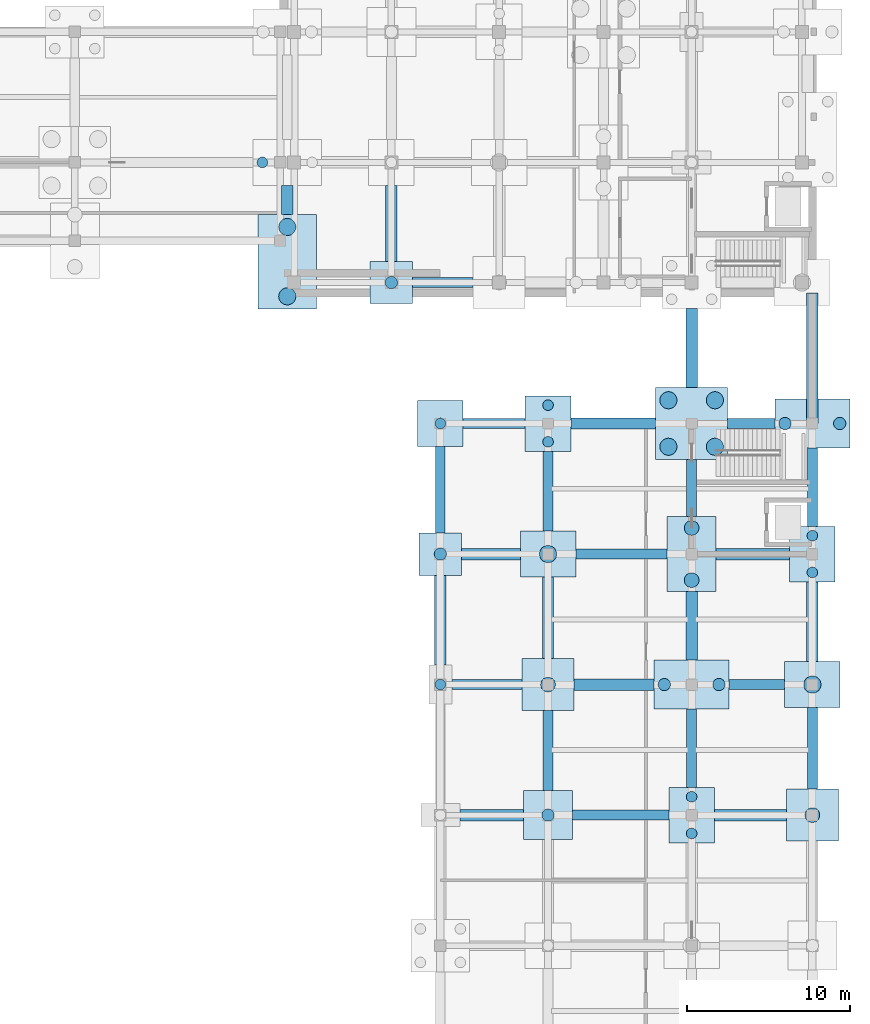
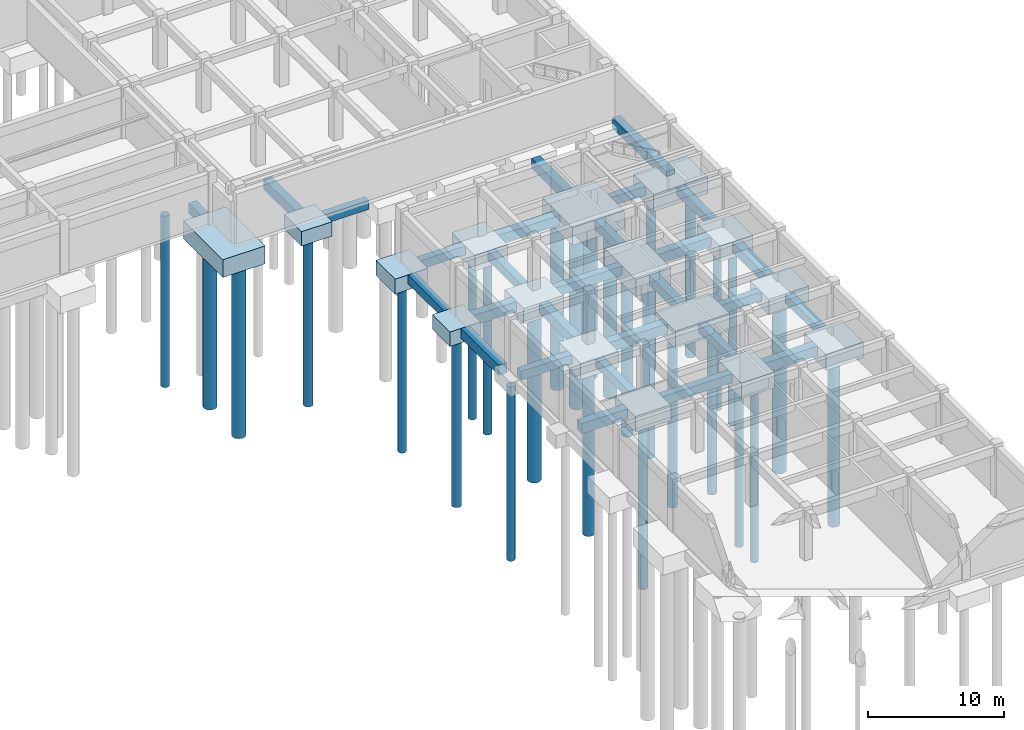
# One storey, part 9 of 35: 44 footings, 28 piles.
"""IFC4 building model written with IfcOpenShell, lengths in metres."""

import ifcopenshell
import ifcopenshell.guid

model = None  # the IFC model being written
_history = None  # IfcOwnerHistory: only IFC2X3 demands one
_inside = {}  # id of a spatial element -> (the spatial element, [elements in it])
_under = {}  # id of a project, library or spatial element -> (it, [spatial elements below it])
_declared = {}  # id of a project -> (the project, [libraries it declares])
_typed = {}  # id of a type object -> (the type object, [elements of that type])
_made_of = {}  # id of a material, layer set ... -> (it, [elements and type objects made of it])


def new_model(schema):
    """Start an empty IFC model of exactly this schema.

    Asked for "IFC4X3", IfcOpenShell would pick the latest addendum, in which some entities
    have other attributes; the version numbers below select the first issue.
    IFC2X3 requires an IfcOwnerHistory on every rooted entity: one is made here for all.
    """
    global model, _history
    if schema == "IFC4X3":
        model = ifcopenshell.file(schema_version=(4, 3, 0, 0))
    else:
        model = ifcopenshell.file(schema=schema)
    _inside.clear()
    _under.clear()
    _declared.clear()
    _typed.clear()
    _made_of.clear()
    _history = None
    if model.schema == "IFC2X3":
        org = make("IfcOrganization", Name="unknown")
        user = make(
            "IfcPersonAndOrganization",
            ThePerson=make("IfcPerson", FamilyName="unknown"),
            TheOrganization=org,
        )
        app = make(
            "IfcApplication",
            ApplicationDeveloper=org,
            Version="unknown",
            ApplicationFullName="unknown",
            ApplicationIdentifier="unknown",
        )
        _history = make(
            "IfcOwnerHistory",
            OwningUser=user,
            OwningApplication=app,
            ChangeAction="ADDED",
            CreationDate=0,
        )
    return model


def make(cls, **values):
    """One entity of the class cls with the attributes given. An attribute that is None is left unset."""
    return model.create_entity(
        cls, **{name: value for name, value in values.items() if value is not None}
    )


def rooted(cls, **values):
    """An entity with a GlobalId (a new one), such as an element, a storey or a relation."""
    return make(cls, GlobalId=ifcopenshell.guid.new(), OwnerHistory=_history, **values)


def si_unit(unit_type, name, prefix=None):
    """IfcSIUnit, for example si_unit("LENGTHUNIT", "METRE", prefix="MILLI")."""
    return make("IfcSIUnit", UnitType=unit_type, Prefix=prefix, Name=name)


def assignment(units):
    """IfcUnitAssignment: the units of a project."""
    return None if units is None else make("IfcUnitAssignment", Units=units)


def point(xyz):
    """IfcCartesianPoint."""
    return None if xyz is None else make("IfcCartesianPoint", Coordinates=xyz)


def direction(xyz):
    """IfcDirection."""
    return None if xyz is None else make("IfcDirection", DirectionRatios=xyz)


def frame(location, z_axis=None, x_axis=None):
    """IfcAxis2Placement3D, a coordinate frame: its origin and axes. An axis left out is left unset."""
    return make(
        "IfcAxis2Placement3D",
        Location=point(location),
        Axis=direction(z_axis),
        RefDirection=direction(x_axis),
    )


def frame_2d(location, x_axis=None):
    """IfcAxis2Placement2D, a coordinate frame in the plane: its origin and x axis."""
    return make(
        "IfcAxis2Placement2D", Location=point(location), RefDirection=direction(x_axis)
    )


def origin():
    """The frame at (0, 0, 0) with its axes left unset."""
    return frame((0.0, 0.0, 0.0))


def origin_2d():
    """The frame at (0, 0) in the plane with its x axis left unset."""
    return frame_2d((0.0, 0.0))


def place(relative_to, where):
    """IfcLocalPlacement: puts the frame where relative to a parent placement (None: the world)."""
    return make(
        "IfcLocalPlacement", PlacementRelTo=relative_to, RelativePlacement=where
    )


def context(
    kind, dimensions, precision=None, world=None, true_north=None, identifier=None
):
    """IfcGeometricRepresentationContext, for example the 3D "Model" context."""
    return make(
        "IfcGeometricRepresentationContext",
        ContextIdentifier=identifier,
        ContextType=kind,
        CoordinateSpaceDimension=dimensions,
        Precision=precision,
        WorldCoordinateSystem=world,
        TrueNorth=true_north,
    )


def subcontext(parent, identifier, kind, view, scale=None):
    """IfcGeometricRepresentationSubContext, for example "Body" below "Model"."""
    return make(
        "IfcGeometricRepresentationSubContext",
        ContextIdentifier=identifier,
        ContextType=kind,
        ParentContext=parent,
        TargetScale=scale,
        TargetView=view,
    )


def project(units=None, contexts=None):
    """IfcProject with its units and contexts."""
    return rooted(
        "IfcProject",
        Name="project",
        RepresentationContexts=contexts,
        UnitsInContext=assignment(units),
    )


def spatial(cls, under=None, at=None, **own):
    """A site, building, storey or space (cls), placed at a placement, below another one or the project."""
    s = rooted(cls, ObjectPlacement=at, **own)
    if under is not None:
        _under.setdefault(under.id(), (under, []))[1].append(s)
    return s


def polyline(points):
    """IfcPolyline through the points."""
    return make("IfcPolyline", Points=[point(p) for p in points])


def profile(cls, at=None, kind="AREA", **sizes):
    """A parametric profile (cls). Its sizes go by their IFC names, for example OverallWidth=200.0."""
    return make(cls, ProfileType=kind, Position=at, **sizes)


def rectangle(**sizes):
    """IfcRectangleProfileDef."""
    return profile("IfcRectangleProfileDef", **sizes)


def circle(**sizes):
    """IfcCircleProfileDef."""
    return profile("IfcCircleProfileDef", **sizes)


def outline(outer, holes=None, kind="AREA"):
    """IfcArbitraryClosedProfileDef: a profile drawn as a closed curve; with holes, ...WithVoids."""
    if holes is None:
        return make("IfcArbitraryClosedProfileDef", ProfileType=kind, OuterCurve=outer)
    return make(
        "IfcArbitraryProfileDefWithVoids",
        ProfileType=kind,
        OuterCurve=outer,
        InnerCurves=holes,
    )


def extrude(swept, where, along, depth):
    """IfcExtrudedAreaSolid: the profile swept, set in the frame where, extruded along a direction by depth."""
    return make(
        "IfcExtrudedAreaSolid",
        SweptArea=swept,
        Position=where,
        ExtrudedDirection=direction(along),
        Depth=depth,
    )


def shape(context_of_items, identifier, shape_type, items):
    """IfcShapeRepresentation: the items that make up one representation, for example the "Body"."""
    return make(
        "IfcShapeRepresentation",
        ContextOfItems=context_of_items,
        RepresentationIdentifier=identifier,
        RepresentationType=shape_type,
        Items=items,
    )


def material(Name=None, Category=None):
    """IfcMaterial."""
    return make("IfcMaterial", Name=Name, Category=Category)


def layer(
    of_material, thickness, ventilated=None, Name=None, Category=None, Priority=None
):
    """IfcMaterialLayer: one layer of a wall or slab, of a material (None: an air gap)."""
    return make(
        "IfcMaterialLayer",
        Material=of_material,
        LayerThickness=thickness,
        IsVentilated=ventilated,
        Name=Name,
        Category=Category,
        Priority=Priority,
    )


def layer_set(layers, Name=None):
    """IfcMaterialLayerSet."""
    return make("IfcMaterialLayerSet", MaterialLayers=layers, LayerSetName=Name)


def material_profile(
    of_material, cross_section, Name=None, Category=None, Priority=None
):
    """IfcMaterialProfile: a cross section and its material."""
    return make(
        "IfcMaterialProfile",
        Name=Name,
        Material=of_material,
        Profile=cross_section,
        Priority=Priority,
        Category=Category,
    )


def profile_set(profiles, Name=None, composite=None):
    """IfcMaterialProfileSet."""
    return make(
        "IfcMaterialProfileSet",
        Name=Name,
        MaterialProfiles=profiles,
        CompositeProfile=composite,
    )


def made_of(thing, what):
    """Note that an element or type object is made of a material, layer set ...; save() writes the relation."""
    if what is not None:
        _made_of.setdefault(what.id(), (what, []))[1].append(thing)
    return thing


def type_object(cls, material=None, **own):
    """A type object (cls), such as IfcWallType, which elements share."""
    return made_of(rooted(cls, **own), material)


def element(
    cls,
    number,
    at=None,
    inside=None,
    cuts=None,
    type_object=None,
    material=None,
    context=None,
    identifier="Body",
    shape_type=None,
    held_by="IfcProductDefinitionShape",
    body=None,
    shapes=None,
    **own,
):
    """One element of the class cls, such as IfcWall. Its Tag is "e" and its number.

    at: its placement. inside: the storey or other place that contains it. cuts: it is an
    opening in that element (IfcRelVoidsElement). A single representation is given by context,
    identifier, shape_type and body (its items); several are given by shapes. held_by: the class
    of the entity that holds the representations. save() writes the other relations.
    """
    e = rooted(cls, Tag="e%d" % number, ObjectPlacement=at, **own)
    if body is not None:
        shapes = [shape(context, identifier, shape_type, body)]
    if shapes is not None:
        e.Representation = make(held_by, Representations=shapes)
    if inside is not None:
        _inside.setdefault(inside.id(), (inside, []))[1].append(e)
    if cuts is not None:
        rooted(
            "IfcRelVoidsElement", RelatingBuildingElement=cuts, RelatedOpeningElement=e
        )
    if type_object is not None:
        _typed.setdefault(type_object.id(), (type_object, []))[1].append(e)
    return made_of(e, material)


def aggregate(whole, parts):
    """IfcRelAggregates: a whole, such as a stair, and the parts it consists of."""
    return rooted("IfcRelAggregates", RelatingObject=whole, RelatedObjects=parts)


def save(model, path):
    """Write the relations noted so far, then the file.

    IfcRelAggregates (storeys below a building ...), IfcRelContainedInSpatialStructure (elements
    in a storey), IfcRelDefinesByType, IfcRelAssociatesMaterial and IfcRelDeclares: one each for
    every whole, place, type object, material and project.
    """
    for whole, parts in _under.values():
        aggregate(whole, parts)
    for where, things in _inside.values():
        rooted(
            "IfcRelContainedInSpatialStructure",
            RelatedElements=things,
            RelatingStructure=where,
        )
    for kind, things in _typed.values():
        rooted("IfcRelDefinesByType", RelatedObjects=things, RelatingType=kind)
    for what, things in _made_of.values():
        rooted("IfcRelAssociatesMaterial", RelatedObjects=things, RelatingMaterial=what)
    for by, libraries in _declared.values():
        rooted("IfcRelDeclares", RelatingContext=by, RelatedDefinitions=libraries)
    model.write(path)


model = new_model("IFC4")

# Units and contexts
model_context = context("Model", 3, precision=1e-05, world=origin(), true_north=direction((0.0, 1.0)))
body_context = subcontext(model_context, "Body", "Model", "MODEL_VIEW")
ifc_project = project(units=[si_unit("LENGTHUNIT", "METRE"), si_unit("AREAUNIT", "SQUARE_METRE"), si_unit("VOLUMEUNIT", "CUBIC_METRE"), si_unit("PLANEANGLEUNIT", "RADIAN"), si_unit("MASSUNIT", "GRAM", prefix="KILO")], contexts=[model_context])

# Site, building, storey
site_placement = place(None, origin())
site = spatial("IfcSite", under=ifc_project, at=site_placement, CompositionType="ELEMENT")
building_placement = place(site_placement, origin())
building = spatial("IfcBuilding", under=site, at=building_placement, Name="Cinchona Park Media Centre", CompositionType="ELEMENT")
storey_placement = place(building_placement, frame((0.0, 0.0, -4.800048828125)))
storey = spatial("IfcBuildingStorey", under=building, at=storey_placement, Name="B1", CompositionType="ELEMENT", Elevation=-4.800048828125)

# Footings
ifc_material_1 = material(Name="Concrete C40/50", Category="concrete")
ifc_layer_1 = layer(ifc_material_1, 0.800048828125)
ifc_layer_set_1 = layer_set([ifc_layer_1], Name="Concrete C40/50")
footing_type_1 = type_object("IfcFootingType", Name="FTG-BEAM-FB01", PredefinedType="FOOTING_BEAM", material=ifc_layer_set_1)
footing_1_placement = place(storey_placement, frame((0.0, 0.0, -1.25)))
element("IfcFooting", 1, at=footing_1_placement, inside=storey, type_object=footing_type_1, Name="Ground Tie Beam FB01", PredefinedType="FOOTING_BEAM", context=body_context, shape_type="SweptSolid", body=[
    extrude(outline(polyline([(157.300048828125, 39.300048828125), (163.199951171875, 39.300048828125), (163.199951171875, 39.89990234375), (157.300048828125, 39.89990234375), (157.300048828125, 39.300048828125)])), origin(), (0.0, 0.0, 1.0), 0.800048828125),
])
footing_2_placement = place(storey_placement, frame((0.0, 0.0, -1.25)))
element("IfcFooting", 2, at=footing_2_placement, inside=storey, type_object=footing_type_1, Name="Ground Tie Beam FB01", PredefinedType="FOOTING_BEAM", context=body_context, shape_type="SweptSolid", body=[
    extrude(outline(polyline([(149.89990234375, 47.300048828125), (154.199951171875, 47.300048828125), (154.199951171875, 47.89990234375), (149.89990234375, 47.89990234375), (149.89990234375, 47.300048828125)])), origin(), (0.0, 0.0, 1.0), 0.800048828125),
])
footing_3_placement = place(storey_placement, frame((0.0, 0.0, -1.25)))
element("IfcFooting", 3, at=footing_3_placement, inside=storey, type_object=footing_type_1, Name="Ground Tie Beam FB01", PredefinedType="FOOTING_BEAM", context=body_context, shape_type="SweptSolid", body=[
    extrude(outline(polyline([(166.89990234375, 47.300048828125), (170.300048828125, 47.300048828125), (170.300048828125, 47.89990234375), (166.89990234375, 47.89990234375), (166.89990234375, 47.300048828125)])), origin(), (0.0, 0.0, 1.0), 0.800048828125),
])
footing_4_placement = place(storey_placement, frame((0.0, 0.0, -1.25)))
element("IfcFooting", 4, at=footing_4_placement, inside=storey, type_object=footing_type_1, Name="Ground Tie Beam FB01", PredefinedType="FOOTING_BEAM", context=body_context, shape_type="SweptSolid", body=[
    extrude(outline(polyline([(157.5, 55.300048828125), (163.10009765625, 55.300048828125), (163.10009765625, 55.89990234375), (157.5, 55.89990234375), (157.5, 55.300048828125)])), origin(), (0.0, 0.0, 1.0), 0.800048828125),
])
footing_5_placement = place(storey_placement, frame((0.0, 0.0, -1.25)))
element("IfcFooting", 5, at=footing_5_placement, inside=storey, type_object=footing_type_1, Name="Ground Tie Beam FB01", PredefinedType="FOOTING_BEAM", context=body_context, shape_type="SweptSolid", body=[
    extrude(outline(polyline([(150.60009765625, 63.300048828125), (154.39990234375, 63.300048828125), (154.39990234375, 63.89990234375), (150.60009765625, 63.89990234375), (150.60009765625, 63.300048828125)])), origin(), (0.0, 0.0, 1.0), 0.800048828125),
])
footing_6_placement = place(storey_placement, frame((0.0, 0.0, -1.25)))
element("IfcFooting", 6, at=footing_6_placement, inside=storey, type_object=footing_type_1, Name="Ground Tie Beam FB01", PredefinedType="FOOTING_BEAM", context=body_context, shape_type="SweptSolid", body=[
    extrude(outline(polyline([(166.800048828125, 63.300048828125), (169.699951171875, 63.300048828125), (169.699951171875, 63.89990234375), (166.800048828125, 63.89990234375), (166.800048828125, 63.300048828125)])), origin(), (0.0, 0.0, 1.0), 0.800048828125),
])
footing_7_placement = place(storey_placement, frame((0.0, 0.0, -1.280029296875)))
element("IfcFooting", 7, at=footing_7_placement, inside=storey, type_object=footing_type_1, Name="Ground Tie Beam FB01", PredefinedType="FOOTING_BEAM", context=body_context, shape_type="SweptSolid", body=[
    extrude(outline(polyline([(147.5, 71.93994140625), (151.199951171875, 71.93994140625), (151.199951171875, 72.5400390625), (147.5, 72.5400390625), (147.5, 71.93994140625)])), origin(), (0.0, 0.0, 1.0), 0.800048828125),
])
footing_8_placement = place(storey_placement, frame((0.0, 0.0, -1.25)))
element("IfcFooting", 8, at=footing_8_placement, inside=storey, type_object=footing_type_1, Name="Ground Tie Beam FB01", PredefinedType="FOOTING_BEAM", context=body_context, shape_type="SweptSolid", body=[
    extrude(outline(polyline([(148.89990234375, 56.89990234375), (149.5, 56.89990234375), (149.5, 62.199951171875), (148.89990234375, 62.199951171875), (148.89990234375, 56.89990234375)])), origin(), (0.0, 0.0, 1.0), 0.800048828125),
])
footing_9_placement = place(storey_placement, frame((0.0, 0.0, -1.25)))
element("IfcFooting", 9, at=footing_9_placement, inside=storey, type_object=footing_type_1, Name="Ground Tie Beam FB01", PredefinedType="FOOTING_BEAM", context=body_context, shape_type="SweptSolid", body=[
    extrude(outline(polyline([(155.5, 41.10009765625), (156.10009765625, 41.10009765625), (156.10009765625, 46.0), (155.5, 46.0), (155.5, 41.10009765625)])), origin(), (0.0, 0.0, 1.0), 0.800048828125),
])
footing_10_placement = place(storey_placement, frame((0.0, 0.0, -1.25)))
element("IfcFooting", 10, at=footing_10_placement, inside=storey, type_object=footing_type_1, Name="Ground Tie Beam FB01", PredefinedType="FOOTING_BEAM", context=body_context, shape_type="SweptSolid", body=[
    extrude(outline(polyline([(155.5, 57.0), (156.10009765625, 57.0), (156.10009765625, 61.89990234375), (155.5, 61.89990234375), (155.5, 57.0)])), origin(), (0.0, 0.0, 1.0), 0.800048828125),
])
footing_11_placement = place(storey_placement, frame((0.0, 0.0, -1.25)))
element("IfcFooting", 11, at=footing_11_placement, inside=storey, type_object=footing_type_1, Name="Ground Tie Beam FB01", PredefinedType="FOOTING_BEAM", context=body_context, shape_type="SweptSolid", body=[
    extrude(outline(polyline([(164.300048828125, 41.300048828125), (164.89990234375, 41.300048828125), (164.89990234375, 46.10009765625), (164.300048828125, 46.10009765625), (164.300048828125, 41.300048828125)])), origin(), (0.0, 0.0, 1.0), 0.800048828125),
])
footing_12_placement = place(storey_placement, frame((0.0, 0.0, -1.25)))
element("IfcFooting", 12, at=footing_12_placement, inside=storey, type_object=footing_type_1, Name="Ground Tie Beam FB01", PredefinedType="FOOTING_BEAM", context=body_context, shape_type="SweptSolid", body=[
    extrude(outline(polyline([(164.300048828125, 57.89990234375), (164.89990234375, 57.89990234375), (164.89990234375, 61.39990234375), (164.300048828125, 61.39990234375), (164.300048828125, 57.89990234375)])), origin(), (0.0, 0.0, 1.0), 0.800048828125),
])
footing_13_placement = place(storey_placement, frame((0.0, 0.0, -1.25)))
element("IfcFooting", 13, at=footing_13_placement, inside=storey, type_object=footing_type_1, Name="Ground Tie Beam FB01", PredefinedType="FOOTING_BEAM", context=body_context, shape_type="SweptSolid", body=[
    extrude(outline(polyline([(171.699951171875, 41.199951171875), (172.300048828125, 41.199951171875), (172.300048828125, 46.199951171875), (171.699951171875, 46.199951171875), (171.699951171875, 41.199951171875)])), origin(), (0.0, 0.0, 1.0), 0.800048828125),
])
footing_14_placement = place(storey_placement, frame((0.0, 0.0, -1.25)))
element("IfcFooting", 14, at=footing_14_placement, inside=storey, type_object=footing_type_1, Name="Ground Tie Beam FB01", PredefinedType="FOOTING_BEAM", context=body_context, shape_type="SweptSolid", body=[
    extrude(outline(polyline([(171.699951171875, 57.300048828125), (172.300048828125, 57.300048828125), (172.300048828125, 62.10009765625), (171.699951171875, 62.10009765625), (171.699951171875, 57.300048828125)])), origin(), (0.0, 0.0, 1.0), 0.800048828125),
])
ifc_material_2 = material(Name="Concrete C40/50", Category="concrete")
ifc_layer_2 = layer(ifc_material_2, 0.89990234375)
ifc_layer_set_2 = layer_set([ifc_layer_2], Name="Concrete C40/50")
footing_type_2 = type_object("IfcFootingType", Name="FTG-BEAM-FB02", PredefinedType="FOOTING_BEAM", material=ifc_layer_set_2)
footing_15_placement = place(storey_placement, frame((0.0, 0.0, -1.349853515625)))
element("IfcFooting", 15, at=footing_15_placement, inside=storey, type_object=footing_type_2, Name="Ground Tie Beam FB02", PredefinedType="FOOTING_BEAM", context=body_context, shape_type="SweptSolid", body=[
    extrude(outline(polyline([(150.39990234375, 39.25), (154.300048828125, 39.25), (154.300048828125, 39.949951171875), (150.39990234375, 39.949951171875), (150.39990234375, 39.25)])), origin(), (0.0, 0.0, 1.0), 0.89990234375),
])
footing_16_placement = place(storey_placement, frame((0.0, 0.0, -1.349853515625)))
element("IfcFooting", 16, at=footing_16_placement, inside=storey, type_object=footing_type_2, Name="Ground Tie Beam FB02", PredefinedType="FOOTING_BEAM", context=body_context, shape_type="SweptSolid", body=[
    extrude(outline(polyline([(166.0, 39.25), (170.39990234375, 39.25), (170.39990234375, 39.949951171875), (166.0, 39.949951171875), (166.0, 39.25)])), origin(), (0.0, 0.0, 1.0), 0.89990234375),
])
footing_17_placement = place(storey_placement, frame((0.0, 0.0, -1.349853515625)))
element("IfcFooting", 17, at=footing_17_placement, inside=storey, type_object=footing_type_2, Name="Ground Tie Beam FB02", PredefinedType="FOOTING_BEAM", context=body_context, shape_type="SweptSolid", body=[
    extrude(outline(polyline([(157.39990234375, 47.25), (162.300048828125, 47.25), (162.300048828125, 47.949951171875), (157.39990234375, 47.949951171875), (157.39990234375, 47.25)])), origin(), (0.0, 0.0, 1.0), 0.89990234375),
])
footing_18_placement = place(storey_placement, frame((0.0, 0.0, -1.349853515625)))
element("IfcFooting", 18, at=footing_18_placement, inside=storey, type_object=footing_type_2, Name="Ground Tie Beam FB02", PredefinedType="FOOTING_BEAM", context=body_context, shape_type="SweptSolid", body=[
    extrude(outline(polyline([(150.5, 55.25), (154.10009765625, 55.25), (154.10009765625, 55.949951171875), (150.5, 55.949951171875), (150.5, 55.25)])), origin(), (0.0, 0.0, 1.0), 0.89990234375),
])
footing_19_placement = place(storey_placement, frame((0.0, 0.0, -1.349853515625)))
element("IfcFooting", 19, at=footing_19_placement, inside=storey, type_object=footing_type_2, Name="Ground Tie Beam FB02", PredefinedType="FOOTING_BEAM", context=body_context, shape_type="SweptSolid", body=[
    extrude(outline(polyline([(166.10009765625, 55.25), (170.60009765625, 55.25), (170.60009765625, 55.949951171875), (166.10009765625, 55.949951171875), (166.10009765625, 55.25)])), origin(), (0.0, 0.0, 1.0), 0.89990234375),
])
footing_20_placement = place(storey_placement, frame((0.0, 0.0, -1.349853515625)))
element("IfcFooting", 20, at=footing_20_placement, inside=storey, type_object=footing_type_2, Name="Ground Tie Beam FB02", PredefinedType="FOOTING_BEAM", context=body_context, shape_type="SweptSolid", body=[
    extrude(outline(polyline([(157.199951171875, 63.25), (162.39990234375, 63.25), (162.39990234375, 63.949951171875), (157.199951171875, 63.949951171875), (157.199951171875, 63.25)])), origin(), (0.0, 0.0, 1.0), 0.89990234375),
])
footing_21_placement = place(storey_placement, frame((0.0, 0.0, -1.300048828125)))
element("IfcFooting", 21, at=footing_21_placement, inside=storey, type_object=footing_type_2, Name="Ground Tie Beam FB02", PredefinedType="FOOTING_BEAM", context=body_context, shape_type="SweptSolid", body=[
    extrude(outline(polyline([(139.469970703125, 76.419921875), (140.169921875, 76.419921875), (140.169921875, 78.199951171875), (139.469970703125, 78.199951171875), (139.469970703125, 76.419921875)])), origin(), (0.0, 0.0, 1.0), 0.900146484375),
])
footing_22_placement = place(storey_placement, frame((0.0, 0.0, -1.3798828125)))
element("IfcFooting", 22, at=footing_22_placement, inside=storey, type_object=footing_type_2, Name="Ground Tie Beam FB02", PredefinedType="FOOTING_BEAM", context=body_context, shape_type="SweptSolid", body=[
    extrude(outline(polyline([(145.85009765625, 73.5400390625), (146.550048828125, 73.5400390625), (146.550048828125, 78.199951171875), (145.85009765625, 78.199951171875), (145.85009765625, 73.5400390625)])), origin(), (0.0, 0.0, 1.0), 0.89990234375),
])
footing_23_placement = place(storey_placement, frame((0.0, 0.0, -1.349853515625)))
element("IfcFooting", 23, at=footing_23_placement, inside=storey, type_object=footing_type_2, Name="Ground Tie Beam FB02", PredefinedType="FOOTING_BEAM", context=body_context, shape_type="SweptSolid", body=[
    extrude(outline(polyline([(148.85009765625, 48.800048828125), (149.550048828125, 48.800048828125), (149.550048828125, 54.300048828125), (148.85009765625, 54.300048828125), (148.85009765625, 48.800048828125)])), origin(), (0.0, 0.0, 1.0), 0.89990234375),
])
footing_24_placement = place(storey_placement, frame((0.0, 0.0, -1.349853515625)))
element("IfcFooting", 24, at=footing_24_placement, inside=storey, type_object=footing_type_2, Name="Ground Tie Beam FB02", PredefinedType="FOOTING_BEAM", context=body_context, shape_type="SweptSolid", body=[
    extrude(outline(polyline([(155.449951171875, 49.199951171875), (156.14990234375, 49.199951171875), (156.14990234375, 54.199951171875), (155.449951171875, 54.199951171875), (155.449951171875, 49.199951171875)])), origin(), (0.0, 0.0, 1.0), 0.89990234375),
])
footing_25_placement = place(storey_placement, frame((0.0, 0.0, -1.349853515625)))
element("IfcFooting", 25, at=footing_25_placement, inside=storey, type_object=footing_type_2, Name="Ground Tie Beam FB02", PredefinedType="FOOTING_BEAM", context=body_context, shape_type="SweptSolid", body=[
    extrude(outline(polyline([(164.25, 49.10009765625), (164.949951171875, 49.10009765625), (164.949951171875, 53.300048828125), (164.25, 53.300048828125), (164.25, 49.10009765625)])), origin(), (0.0, 0.0, 1.0), 0.89990234375),
])
footing_26_placement = place(storey_placement, frame((0.0, 0.0, -1.3798828125)))
element("IfcFooting", 26, at=footing_26_placement, inside=storey, type_object=footing_type_2, Name="Ground Tie Beam FB02", PredefinedType="FOOTING_BEAM", context=body_context, shape_type="SweptSolid", body=[
    extrude(outline(polyline([(164.25, 65.800048828125), (164.949951171875, 65.800048828125), (164.949951171875, 70.639892578125), (164.25, 70.639892578125), (164.25, 65.800048828125)])), origin(), (0.0, 0.0, 1.0), 0.89990234375),
])
footing_27_placement = place(storey_placement, frame((0.0, 0.0, -1.349853515625)))
element("IfcFooting", 27, at=footing_27_placement, inside=storey, type_object=footing_type_2, Name="Ground Tie Beam FB02", PredefinedType="FOOTING_BEAM", context=body_context, shape_type="SweptSolid", body=[
    extrude(outline(polyline([(171.64990234375, 49.0), (172.35009765625, 49.0), (172.35009765625, 53.89990234375), (171.64990234375, 53.89990234375), (171.64990234375, 49.0)])), origin(), (0.0, 0.0, 1.0), 0.89990234375),
])
footing_28_placement = place(storey_placement, frame((0.0, 0.0, -0.89990234375)))
element("IfcFooting", 28, at=footing_28_placement, inside=storey, type_object=footing_type_2, Name="Ground Tie Beam FB02", PredefinedType="FOOTING_BEAM", context=body_context, shape_type="SweptSolid", body=[
    extrude(outline(polyline([(171.64990234375, 63.610107421875), (172.35009765625, 63.610107421875), (172.35009765625, 71.590087890625), (171.64990234375, 71.590087890625), (171.64990234375, 63.610107421875)])), origin(), (0.0, 0.0, 1.0), 0.89990234375),
])

# Piles
ifc_material_3 = material(Name="Concrete C40/50", Category="concrete")
ifc_material_profile_1 = material_profile(ifc_material_3, circle(Radius=0.52490234375, at=origin_2d()), Name="BORED PILE 1050")
ifc_profile_set_1 = profile_set([ifc_material_profile_1], Name="Concrete C40/50")
pile_type_1 = type_object("IfcPileType", Name="PILE-BP1050", PredefinedType="BORED", material=ifc_profile_set_1)
for number, where, z_axis, x_axis, name in (
    (29, (139.820068359375, 71.39501953125, -1.89990234375), (0.0, 0.0, -1.0), (1.0, 0.0, 0.0), "Bored Pile P1050"),
    (30, (139.820068359375, 75.64501953125, -1.89990234375), (0.0, 0.0, -1.0), (1.0, 0.0, 0.0), "Bored Pile P1050"),
):
    element("IfcPile", number, at=place(storey_placement, frame(where, z_axis=z_axis, x_axis=x_axis)), inside=storey, type_object=pile_type_1, Name=name, PredefinedType="BORED", context=body_context, shape_type="SweptSolid", body=[
        extrude(circle(Radius=0.52490234375, at=origin_2d()), origin(), (0.0, 0.0, 1.0), 15.300048828125),
    ])
pile_1_placement = place(storey_placement, frame((155.800048828125, 55.60009765625, -1.75), z_axis=(0.0, 0.0, -1.0), x_axis=(1.0, 0.0, 0.0)))
element("IfcPile", 31, at=pile_1_placement, inside=storey, type_object=pile_type_1, Name="Bored Pile P1050", PredefinedType="BORED", context=body_context, shape_type="SweptSolid", body=[
    extrude(circle(Radius=0.52490234375, at=origin_2d()), origin(), (0.0, 0.0, 1.0), 15.449951171875),
])
for number, where, z_axis, x_axis, name in (
    (32, (163.175048828125, 62.175048828125, -1.949951171875), (0.0, 0.0, -1.0), (1.0, 0.0, 0.0), "Bored Pile P1050"),
    (33, (163.175048828125, 65.02490234375, -1.949951171875), (0.0, 0.0, -1.0), (1.0, 0.0, 0.0), "Bored Pile P1050"),
    (34, (166.02490234375, 62.175048828125, -1.949951171875), (0.0, 0.0, -1.0), (1.0, 0.0, 0.0), "Bored Pile P1050"),
    (35, (166.02490234375, 65.02490234375, -1.949951171875), (0.0, 0.0, -1.0), (1.0, 0.0, 0.0), "Bored Pile P1050"),
):
    element("IfcPile", number, at=place(storey_placement, frame(where, z_axis=z_axis, x_axis=x_axis)), inside=storey, type_object=pile_type_1, Name=name, PredefinedType="BORED", context=body_context, shape_type="SweptSolid", body=[
        extrude(circle(Radius=0.52490234375, at=origin_2d()), origin(), (0.0, 0.0, 1.0), 15.25),
    ])
pile_2_placement = place(storey_placement, frame((172.0, 47.60009765625, -1.75), z_axis=(0.0, 0.0, -1.0), x_axis=(1.0, 0.0, 0.0)))
element("IfcPile", 36, at=pile_2_placement, inside=storey, type_object=pile_type_1, Name="Bored Pile P1050", PredefinedType="BORED", context=body_context, shape_type="SweptSolid", body=[
    extrude(circle(Radius=0.52490234375, at=origin_2d()), origin(), (0.0, 0.0, 1.0), 15.449951171875),
])
ifc_material_4 = material(Name="Concrete C40/50", Category="concrete")
ifc_material_profile_2 = material_profile(ifc_material_4, circle(Radius=0.324951171875, at=origin_2d()), Name="BORED PILE 650")
ifc_profile_set_2 = profile_set([ifc_material_profile_2], Name="Concrete C40/50")
pile_type_2 = type_object("IfcPileType", Name="PILE-BP650", PredefinedType="BORED", material=ifc_profile_set_2)
pile_3_placement = place(storey_placement, frame((138.294921875, 79.60009765625, -1.800048828125), z_axis=(0.0, 0.0, -1.0), x_axis=(1.0, 0.0, 0.0)))
element("IfcPile", 37, at=pile_3_placement, inside=storey, type_object=pile_type_2, Name="Bored Pile P650", PredefinedType="BORED", context=body_context, shape_type="SweptSolid", body=[
    extrude(circle(Radius=0.324951171875, at=origin_2d()), origin(), (0.0, 0.0, 1.0), 15.39990234375),
])
pile_4_placement = place(storey_placement, frame((149.199951171875, 47.60009765625, -1.550048828125), z_axis=(0.0, 0.0, -1.0), x_axis=(1.0, 0.0, 0.0)))
element("IfcPile", 38, at=pile_4_placement, inside=storey, type_object=pile_type_2, Name="Bored Pile P650", PredefinedType="BORED", context=body_context, shape_type="SweptSolid", body=[
    extrude(circle(Radius=0.324951171875, at=origin_2d()), origin(), (0.0, 0.0, 1.0), 15.64990234375),
])
pile_5_placement = place(storey_placement, frame((149.199951171875, 63.60009765625, -1.699951171875), z_axis=(0.0, 0.0, -1.0), x_axis=(1.0, 0.0, 0.0)))
element("IfcPile", 39, at=pile_5_placement, inside=storey, type_object=pile_type_2, Name="Bored Pile P650", PredefinedType="BORED", context=body_context, shape_type="SweptSolid", body=[
    extrude(circle(Radius=0.324951171875, at=origin_2d()), origin(), (0.0, 0.0, 1.0), 15.5),
])
for number, where, z_axis, x_axis, name in (
    (40, (155.800048828125, 62.47509765625, -1.75), (0.0, 0.0, -1.0), (1.0, 0.0, 0.0), "Bored Pile P650"),
    (41, (155.800048828125, 64.72509765625, -1.75), (0.0, 0.0, -1.0), (1.0, 0.0, 0.0), "Bored Pile P650"),
    (42, (164.60009765625, 38.47509765625, -1.75), (0.0, 0.0, -1.0), (1.0, 0.0, 0.0), "Bored Pile P650"),
    (43, (164.60009765625, 40.72509765625, -1.75), (0.0, 0.0, -1.0), (1.0, 0.0, 0.0), "Bored Pile P650"),
    (44, (172.0, 54.47509765625, -1.75), (0.0, 0.0, -1.0), (1.0, 0.0, 0.0), "Bored Pile P650"),
    (45, (172.0, 56.72509765625, -1.75), (0.0, 0.0, -1.0), (1.0, 0.0, 0.0), "Bored Pile P650"),
):
    element("IfcPile", number, at=place(storey_placement, frame(where, z_axis=z_axis, x_axis=x_axis)), inside=storey, type_object=pile_type_2, Name=name, PredefinedType="BORED", context=body_context, shape_type="SweptSolid", body=[
        extrude(circle(Radius=0.324951171875, at=origin_2d()), origin(), (0.0, 0.0, 1.0), 15.449951171875),
    ])
ifc_material_5 = material(Name="Concrete C40/50", Category="concrete")
ifc_material_profile_3 = material_profile(ifc_material_5, circle(Radius=0.375, at=origin_2d()), Name="BORED PILE 750")
ifc_profile_set_3 = profile_set([ifc_material_profile_3], Name="Concrete C40/50")
pile_type_3 = type_object("IfcPileType", Name="PILE-BP750", PredefinedType="BORED", material=ifc_profile_set_3)
pile_6_placement = place(storey_placement, frame((146.199951171875, 72.239990234375, -1.679931640625), z_axis=(0.0, 0.0, -1.0), x_axis=(1.0, 0.0, 0.0)))
element("IfcPile", 46, at=pile_6_placement, inside=storey, type_object=pile_type_3, Name="Bored Pile P750", PredefinedType="BORED", context=body_context, shape_type="SweptSolid", body=[
    extrude(circle(Radius=0.375, at=origin_2d()), origin(), (0.0, 0.0, 1.0), 15.52001953125),
])
pile_7_placement = place(storey_placement, frame((149.199951171875, 55.60009765625, -1.64990234375), z_axis=(0.0, 0.0, -1.0), x_axis=(1.0, 0.0, 0.0)))
element("IfcPile", 47, at=pile_7_placement, inside=storey, type_object=pile_type_3, Name="Bored Pile P750", PredefinedType="BORED", context=body_context, shape_type="SweptSolid", body=[
    extrude(circle(Radius=0.375, at=origin_2d()), origin(), (0.0, 0.0, 1.0), 15.550048828125),
])
pile_8_placement = place(storey_placement, frame((155.800048828125, 39.60009765625, -1.75), z_axis=(0.0, 0.0, -1.0), x_axis=(1.0, 0.0, 0.0)))
element("IfcPile", 48, at=pile_8_placement, inside=storey, type_object=pile_type_3, Name="Bored Pile P750", PredefinedType="BORED", context=body_context, shape_type="SweptSolid", body=[
    extrude(circle(Radius=0.375, at=origin_2d()), origin(), (0.0, 0.0, 1.0), 15.449951171875),
])
for number, where, z_axis, x_axis, name in (
    (49, (162.925048828125, 47.60009765625, -1.89990234375), (0.0, 0.0, -1.0), (1.0, 0.0, 0.0), "Bored Pile P750"),
    (50, (166.27490234375, 47.60009765625, -1.89990234375), (0.0, 0.0, -1.0), (1.0, 0.0, 0.0), "Bored Pile P750"),
    (51, (170.324951171875, 63.60009765625, -1.89990234375), (0.0, 0.0, -1.0), (1.0, 0.0, 0.0), "Bored Pile P750"),
    (52, (173.675048828125, 63.60009765625, -1.89990234375), (0.0, 0.0, -1.0), (1.0, 0.0, 0.0), "Bored Pile P750"),
):
    element("IfcPile", number, at=place(storey_placement, frame(where, z_axis=z_axis, x_axis=x_axis)), inside=storey, type_object=pile_type_3, Name=name, PredefinedType="BORED", context=body_context, shape_type="SweptSolid", body=[
        extrude(circle(Radius=0.375, at=origin_2d()), origin(), (0.0, 0.0, 1.0), 15.300048828125),
    ])
ifc_material_6 = material(Name="Concrete C40/50", Category="concrete")
ifc_material_profile_4 = material_profile(ifc_material_6, circle(Radius=0.449951171875, at=origin_2d()), Name="BORED PILE 900")
ifc_profile_set_4 = profile_set([ifc_material_profile_4], Name="Concrete C40/50")
pile_type_4 = type_object("IfcPileType", Name="PILE-BP900", PredefinedType="BORED", material=ifc_profile_set_4)
pile_9_placement = place(storey_placement, frame((155.800048828125, 47.60009765625, -1.800048828125), z_axis=(0.0, 0.0, -1.0), x_axis=(1.0, 0.0, 0.0)))
element("IfcPile", 53, at=pile_9_placement, inside=storey, type_object=pile_type_4, Name="Bored Pile P900", PredefinedType="BORED", context=body_context, shape_type="SweptSolid", body=[
    extrude(circle(Radius=0.449951171875, at=origin_2d()), origin(), (0.0, 0.0, 1.0), 15.39990234375),
])
for number, where, z_axis, x_axis, name in (
    (54, (164.60009765625, 54.0, -1.89990234375), (0.0, 0.0, -1.0), (1.0, 0.0, 0.0), "Bored Pile P900"),
    (55, (164.60009765625, 57.199951171875, -1.89990234375), (0.0, 0.0, -1.0), (1.0, 0.0, 0.0), "Bored Pile P900"),
):
    element("IfcPile", number, at=place(storey_placement, frame(where, z_axis=z_axis, x_axis=x_axis)), inside=storey, type_object=pile_type_4, Name=name, PredefinedType="BORED", context=body_context, shape_type="SweptSolid", body=[
        extrude(circle(Radius=0.449951171875, at=origin_2d()), origin(), (0.0, 0.0, 1.0), 15.300048828125),
    ])
pile_10_placement = place(storey_placement, frame((172.0, 39.60009765625, -1.800048828125), z_axis=(0.0, 0.0, -1.0), x_axis=(1.0, 0.0, 0.0)))
element("IfcPile", 56, at=pile_10_placement, inside=storey, type_object=pile_type_4, Name="Bored Pile P900", PredefinedType="BORED", context=body_context, shape_type="SweptSolid", body=[
    extrude(circle(Radius=0.449951171875, at=origin_2d()), origin(), (0.0, 0.0, 1.0), 15.39990234375),
])

# Footings
ifc_material_7 = material(Name="Concrete C40/50", Category="concrete")
ifc_layer_3 = layer(ifc_material_7, 1.300048828125)
ifc_layer_set_3 = layer_set([ifc_layer_3], Name="Concrete C40/50")
footing_type_3 = type_object("IfcFootingType", Name="PILE-CAP-PC03", PredefinedType="PILE_CAP", material=ifc_layer_set_3)
for number, where, z_axis, x_axis, name in (
    (57, (146.199951171875, 72.239990234375, -1.77978515625), (0.0, 0.0, 1.0), (1.0, 0.0, 0.0), "Pile Cap PC03"),
    (58, (149.199951171875, 55.60009765625, -1.75), (0.0, 0.0, 1.0), (1.0, 0.0, 0.0), "Pile Cap PC03"),
):
    element("IfcFooting", number, at=place(storey_placement, frame(where, z_axis=z_axis, x_axis=x_axis)), inside=storey, type_object=footing_type_3, Name=name, PredefinedType="PILE_CAP", context=body_context, shape_type="SweptSolid", body=[
        extrude(rectangle(XDim=2.60009765625, YDim=2.60009765625, at=origin_2d()), origin(), (0.0, 0.0, 1.0), 1.300048828125),
    ])
ifc_material_8 = material(Name="Concrete C40/50", Category="concrete")
ifc_layer_4 = layer(ifc_material_8, 1.35009765625)
ifc_layer_set_4 = layer_set([ifc_layer_4], Name="Concrete C40/50")
footing_type_4 = type_object("IfcFootingType", Name="PILE-CAP-PC04", PredefinedType="PILE_CAP", material=ifc_layer_set_4)
footing_29_placement = place(storey_placement, frame((149.199951171875, 63.60009765625, -1.800048828125), z_axis=(0.0, 0.0, 1.0), x_axis=(1.0, 0.0, 0.0)))
element("IfcFooting", 59, at=footing_29_placement, inside=storey, type_object=footing_type_4, Name="Pile Cap PC04", PredefinedType="PILE_CAP", context=body_context, shape_type="SweptSolid", body=[
    extrude(rectangle(XDim=2.800048828125, YDim=2.800048828125, at=origin_2d()), origin(), (0.0, 0.0, 1.0), 1.35009765625),
])
ifc_material_9 = material(Name="Concrete C40/50", Category="concrete")
ifc_layer_5 = layer(ifc_material_9, 1.39990234375)
ifc_layer_set_5 = layer_set([ifc_layer_5], Name="Concrete C40/50")
footing_type_5 = type_object("IfcFootingType", Name="PILE-CAP-PC05", PredefinedType="PILE_CAP", material=ifc_layer_set_5)
footing_30_placement = place(storey_placement, frame((155.800048828125, 39.60009765625, -1.849853515625), z_axis=(0.0, 0.0, 1.0), x_axis=(1.0, 0.0, 0.0)))
element("IfcFooting", 60, at=footing_30_placement, inside=storey, type_object=footing_type_5, Name="Pile Cap PC05", PredefinedType="PILE_CAP", context=body_context, shape_type="SweptSolid", body=[
    extrude(rectangle(XDim=3.0, YDim=3.0, at=origin_2d()), origin(), (0.0, 0.0, 1.0), 1.39990234375),
])
ifc_material_10 = material(Name="Concrete C40/50", Category="concrete")
ifc_layer_6 = layer(ifc_material_10, 1.449951171875)
ifc_layer_set_6 = layer_set([ifc_layer_6], Name="Concrete C40/50")
footing_type_6 = type_object("IfcFootingType", Name="PILE-CAP-PC06", PredefinedType="PILE_CAP", material=ifc_layer_set_6)
for number, where, z_axis, x_axis, name in (
    (61, (155.800048828125, 47.60009765625, -1.89990234375), (0.0, 0.0, 1.0), (1.0, 0.0, 0.0), "Pile Cap PC06"),
    (62, (172.0, 39.60009765625, -1.89990234375), (0.0, 0.0, 1.0), (1.0, 0.0, 0.0), "Pile Cap PC06"),
):
    element("IfcFooting", number, at=place(storey_placement, frame(where, z_axis=z_axis, x_axis=x_axis)), inside=storey, type_object=footing_type_6, Name=name, PredefinedType="PILE_CAP", context=body_context, shape_type="SweptSolid", body=[
        extrude(rectangle(XDim=3.199951171875, YDim=3.199951171875, at=origin_2d()), origin(), (0.0, 0.0, 1.0), 1.449951171875),
    ])
ifc_material_11 = material(Name="Concrete C40/50", Category="concrete")
ifc_layer_7 = layer(ifc_material_11, 1.39990234375)
ifc_layer_set_7 = layer_set([ifc_layer_7], Name="Concrete C40/50")
footing_type_7 = type_object("IfcFootingType", Name="PILE-CAP-PC07", PredefinedType="PILE_CAP", material=ifc_layer_set_7)
for number, where, z_axis, x_axis, name in (
    (63, (155.800048828125, 55.60009765625, -1.849853515625), (0.0, 0.0, 1.0), (1.0, 0.0, 0.0), "Pile Cap PC07"),
    (64, (172.0, 47.60009765625, -1.849853515625), (0.0, 0.0, 1.0), (1.0, 0.0, 0.0), "Pile Cap PC07"),
):
    element("IfcFooting", number, at=place(storey_placement, frame(where, z_axis=z_axis, x_axis=x_axis)), inside=storey, type_object=footing_type_7, Name=name, PredefinedType="PILE_CAP", context=body_context, shape_type="SweptSolid", body=[
        extrude(rectangle(XDim=3.39990234375, YDim=2.800048828125, at=origin_2d()), origin(), (0.0, 0.0, 1.0), 1.39990234375),
    ])
ifc_material_12 = material(Name="Concrete C40/50", Category="concrete")
ifc_layer_8 = layer(ifc_material_12, 1.39990234375)
ifc_layer_set_8 = layer_set([ifc_layer_8], Name="Concrete C40/50")
footing_type_8 = type_object("IfcFootingType", Name="PILE-CAP-PC08", PredefinedType="PILE_CAP", material=ifc_layer_set_8)
for number, where, z_axis, x_axis, name in (
    (65, (155.800048828125, 63.60009765625, -1.849853515625), (0.0, 0.0, 1.0), (1.0, 0.0, 0.0), "Pile Cap PC08"),
    (66, (164.60009765625, 39.60009765625, -1.849853515625), (0.0, 0.0, 1.0), (1.0, 0.0, 0.0), "Pile Cap PC08"),
    (67, (172.0, 55.60009765625, -1.849853515625), (0.0, 0.0, 1.0), (1.0, 0.0, 0.0), "Pile Cap PC08"),
):
    element("IfcFooting", number, at=place(storey_placement, frame(where, z_axis=z_axis, x_axis=x_axis)), inside=storey, type_object=footing_type_8, Name=name, PredefinedType="PILE_CAP", context=body_context, shape_type="SweptSolid", body=[
        extrude(rectangle(XDim=2.800048828125, YDim=3.39990234375, at=origin_2d()), origin(), (0.0, 0.0, 1.0), 1.39990234375),
    ])
ifc_material_13 = material(Name="Concrete C40/50", Category="concrete")
ifc_layer_9 = layer(ifc_material_13, 1.550048828125)
ifc_layer_set_9 = layer_set([ifc_layer_9], Name="Concrete C40/50")
footing_type_9 = type_object("IfcFootingType", Name="PILE-CAP-PC11", PredefinedType="PILE_CAP", material=ifc_layer_set_9)
for number, where, z_axis, x_axis, name in (
    (68, (164.60009765625, 47.60009765625, -2.0), (0.0, 0.0, 1.0), (1.0, 0.0, 0.0), "Pile Cap PC11"),
    (69, (172.0, 63.60009765625, -2.0), (0.0, 0.0, 1.0), (1.0, 0.0, 0.0), "Pile Cap PC11"),
):
    element("IfcFooting", number, at=place(storey_placement, frame(where, z_axis=z_axis, x_axis=x_axis)), inside=storey, type_object=footing_type_9, Name=name, PredefinedType="PILE_CAP", context=body_context, shape_type="SweptSolid", body=[
        extrude(rectangle(XDim=4.60009765625, YDim=3.0, at=origin_2d()), origin(), (0.0, 0.0, 1.0), 1.550048828125),
    ])
ifc_material_14 = material(Name="Concrete C40/50", Category="concrete")
ifc_layer_10 = layer(ifc_material_14, 1.550048828125)
ifc_layer_set_10 = layer_set([ifc_layer_10], Name="Concrete C40/50")
footing_type_10 = type_object("IfcFootingType", Name="PILE-CAP-PC12", PredefinedType="PILE_CAP", material=ifc_layer_set_10)
footing_31_placement = place(storey_placement, frame((164.60009765625, 55.60009765625, -2.0), z_axis=(0.0, 0.0, 1.0), x_axis=(1.0, 0.0, 0.0)))
element("IfcFooting", 70, at=footing_31_placement, inside=storey, type_object=footing_type_10, Name="Pile Cap PC12", PredefinedType="PILE_CAP", context=body_context, shape_type="SweptSolid", body=[
    extrude(rectangle(XDim=3.0, YDim=4.60009765625, at=origin_2d()), origin(), (0.0, 0.0, 1.0), 1.550048828125),
])
ifc_material_15 = material(Name="Concrete C40/50", Category="concrete")
ifc_layer_11 = layer(ifc_material_15, 1.60009765625)
ifc_layer_set_11 = layer_set([ifc_layer_11], Name="Concrete C40/50")
footing_type_11 = type_object("IfcFootingType", Name="PILE-CAP-PC13", PredefinedType="PILE_CAP", material=ifc_layer_set_11)
footing_32_placement = place(storey_placement, frame((164.60009765625, 63.60009765625, -2.050048828125), z_axis=(0.0, 0.0, 1.0), x_axis=(1.0, 0.0, 0.0)))
element("IfcFooting", 71, at=footing_32_placement, inside=storey, type_object=footing_type_11, Name="Pile Cap PC13", PredefinedType="PILE_CAP", context=body_context, shape_type="SweptSolid", body=[
    extrude(rectangle(XDim=4.39990234375, YDim=4.39990234375, at=origin_2d()), origin(), (0.0, 0.0, 1.0), 1.60009765625),
])
ifc_material_16 = material(Name="Concrete C40/50", Category="concrete")
ifc_layer_12 = layer(ifc_material_16, 1.60009765625)
ifc_layer_set_12 = layer_set([ifc_layer_12], Name="Concrete C40/50")
footing_type_12 = type_object("IfcFootingType", Name="PILE-CAP-PC16", PredefinedType="PILE_CAP", material=ifc_layer_set_12)
footing_33_placement = place(storey_placement, frame((139.820068359375, 73.52001953125, -2.0), z_axis=(0.0, 0.0, 1.0), x_axis=(1.0, 0.0, 0.0)))
element("IfcFooting", 72, at=footing_33_placement, inside=storey, type_object=footing_type_12, Name="Pile Cap PC16", PredefinedType="PILE_CAP", context=body_context, shape_type="SweptSolid", body=[
    extrude(rectangle(XDim=3.60009765625, YDim=5.800048828125, at=origin_2d()), origin(), (0.0, 0.0, 1.0), 1.60009765625),
])

save(model, "model.ifc")
